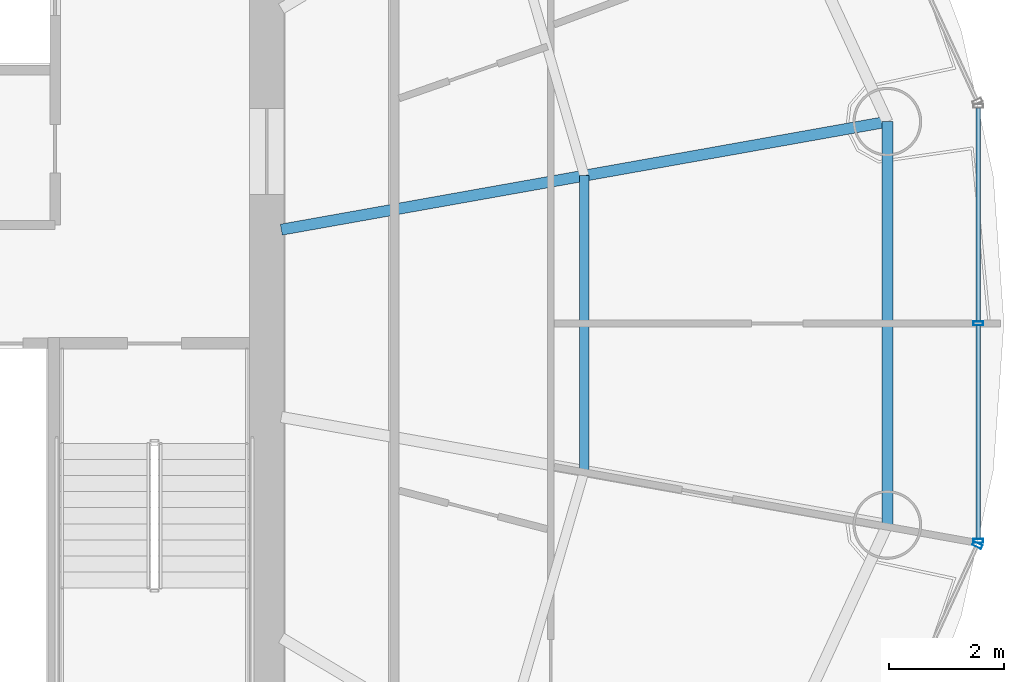
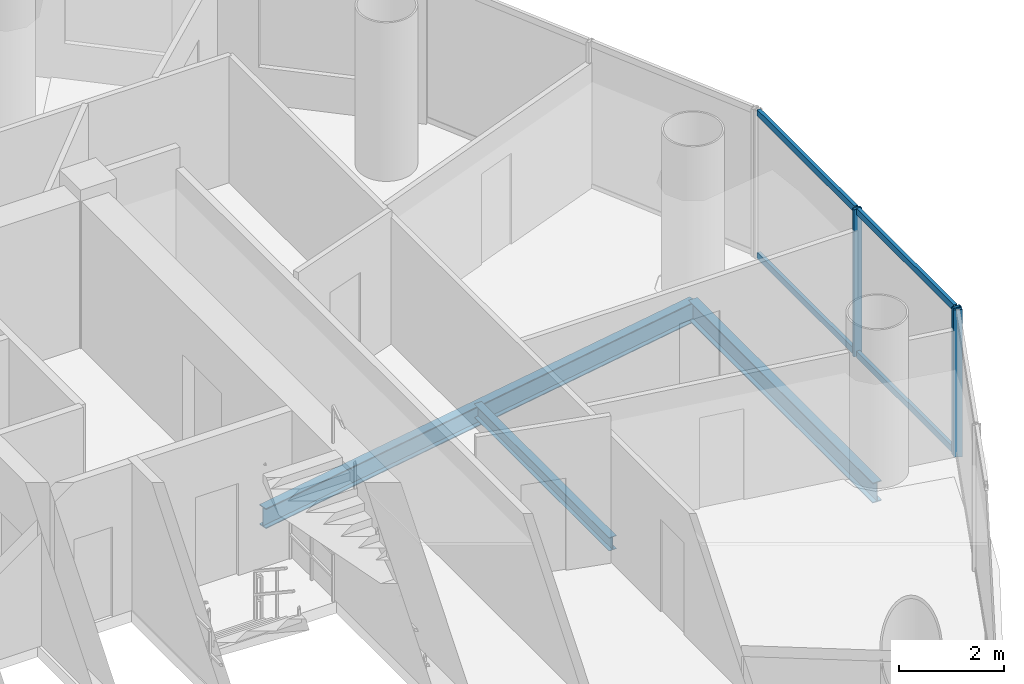
# One storey, part 13 of 26: 7 members, 3 beams, 2 elements without a shape of their own.
"""IFC4 building model written with IfcOpenShell, lengths in metres."""

from ifc_helpers import new_model, si_unit, direction, frame, origin, origin_2d, place, context, subcontext, project, spatial, hollow_rectangle, i_section, extrude, source, transform, mapped, material, material_profile, profile_set, type_object, element, aggregate, save


model = new_model("IFC4")

# Units and contexts
model_context = context("Model", 3, precision=1e-05, world=origin(), true_north=direction((-0.2419218956, 0.970295726276)))
body_context = subcontext(model_context, "Body", "Model", "MODEL_VIEW")
ifc_project = project(units=[si_unit("LENGTHUNIT", "METRE"), si_unit("AREAUNIT", "SQUARE_METRE"), si_unit("VOLUMEUNIT", "CUBIC_METRE"), si_unit("PLANEANGLEUNIT", "RADIAN"), si_unit("MASSUNIT", "GRAM", prefix="KILO")], contexts=[model_context])

# Site, building, storey
site_placement = place(None, origin())
site = spatial("IfcSite", under=ifc_project, at=site_placement, CompositionType="ELEMENT")
building_placement = place(site_placement, origin())
building = spatial("IfcBuilding", under=site, at=building_placement, Name="Cobrevalo Terracotta Tower", CompositionType="ELEMENT")
storey_placement = place(building_placement, frame((0.0, 0.0, 228.199951171875)))
storey = spatial("IfcBuildingStorey", under=building, at=storey_placement, Name="L60", CompositionType="ELEMENT", Elevation=228.199951171875)

# Beams
ifc_material_1 = material(Name="Steel S355", Category="steel")
ifc_material_profile_1 = material_profile(ifc_material_1, i_section(OverallWidth=0.194091796875, OverallDepth=0.468994140625, WebThickness=0.011474609375, FlangeThickness=0.0205078125, at=origin_2d()), Name="W 460x106")
ifc_profile_set_1 = profile_set([ifc_material_profile_1], Name="Steel S355")
beam_type_1 = type_object("IfcBeamType", Name="Structural Beam W 460x106 (Steel S355)", PredefinedType="BEAM", material=ifc_profile_set_1)
beam_1_placement = place(storey_placement, frame((57.762939453125, 30.3212890625, -0.49951171875), z_axis=(-0.98449712063, -0.175400739656, 0.0), x_axis=(0.175400739656, -0.98449712063, 0.0)))
element("IfcBeam", 1, at=beam_1_placement, inside=storey, type_object=beam_type_1, Name="L60 radial floor girder 01", PredefinedType="BEAM", context=body_context, shape_type="SweptSolid", body=[
    extrude(i_section(OverallWidth=0.194091796875, OverallDepth=0.468994140625, WebThickness=0.011474609375, FlangeThickness=0.0205078125, at=origin_2d()), origin(), (0.0, 0.0, 1.0), 10.749755859375),
])
ifc_material_profile_2 = material_profile(ifc_material_1, i_section(OverallWidth=0.1650390625, OverallDepth=0.31005859375, WebThickness=0.005859375, FlangeThickness=0.009765625, at=origin_2d()), Name="W 310x38.7")
ifc_profile_set_2 = profile_set([ifc_material_profile_2], Name="Steel S355")
beam_type_2 = type_object("IfcBeamType", Name="Structural Joist W 310x38.7 (Steel S355)", PredefinedType="JOIST", material=ifc_profile_set_2)
beam_2_placement = place(storey_placement, frame((52.471435546875, 24.221435546875, -0.419921875), z_axis=(0.0, 1.0, 0.0), x_axis=(-1.0, 0.0, 0.0)))
element("IfcBeam", 2, at=beam_2_placement, inside=storey, type_object=beam_type_2, Name="L60 circumferential secondary floor joist 16", PredefinedType="JOIST", context=body_context, shape_type="SweptSolid", body=[
    extrude(i_section(OverallWidth=0.1650390625, OverallDepth=0.31005859375, WebThickness=0.005859375, FlangeThickness=0.009765625, at=origin_2d()), origin(), (0.0, 0.0, 1.0), 5.1572265625),
])
ifc_material_profile_3 = material_profile(ifc_material_1, i_section(OverallWidth=0.194091796875, OverallDepth=0.468994140625, WebThickness=0.011474609375, FlangeThickness=0.0205078125, at=origin_2d()), Name="W 460x106")
ifc_profile_set_3 = profile_set([ifc_material_profile_3], Name="Steel S355")
beam_type_3 = type_object("IfcBeamType", Name="Structural Spandrel W 460x106 (Steel S355)", PredefinedType="SPANDREL", material=ifc_profile_set_3)
beam_3_placement = place(storey_placement, frame((57.762939453125, 23.278564453125, -0.49951171875), z_axis=(0.0, 1.0, 0.0), x_axis=(-1.0, 0.0, 0.0)))
element("IfcBeam", 3, at=beam_3_placement, inside=storey, type_object=beam_type_3, Name="L60 perimeter ring spandrel 16", PredefinedType="SPANDREL", context=body_context, shape_type="SweptSolid", body=[
    extrude(i_section(OverallWidth=0.194091796875, OverallDepth=0.468994140625, WebThickness=0.011474609375, FlangeThickness=0.0205078125, at=origin_2d()), origin(), (0.0, 0.0, 1.0), 7.042724609375),
])

# Curtain wall, members
ifc_material_2 = material(Name="Anodized aluminium", Category="aluminium")
curtain_wall_type = type_object("IfcCurtainWallType", Name="Mid-tower high-wind unitised curtain wall CW-U2", PredefinedType="NOTDEFINED", material=ifc_material_2)
curtain_wall_1_placement = place(storey_placement, origin())
curtain_wall_1 = element("IfcCurtainWall", 4, at=curtain_wall_1_placement, inside=storey, type_object=curtain_wall_type, Name="L60 curtain wall CW-L60-S16", PredefinedType="NOTDEFINED")
ifc_material_profile_4 = material_profile(ifc_material_2, hollow_rectangle(XDim=0.074951171875, YDim=0.14990234375, WallThickness=0.00439453125, at=origin_2d()), Name="CWT 75x150")
ifc_profile_set_4 = profile_set([ifc_material_profile_4], Name="Anodized aluminium")
member_type_1 = type_object("IfcMemberType", Name="Tower unitised aluminium transom 75x150", PredefinedType="USERDEFINED", material=ifc_profile_set_4)
shared_shape_1 = source(origin(), body_context, "Body", "SweptSolid", [
    extrude(hollow_rectangle(XDim=0.074951171875, YDim=0.14990234375, WallThickness=0.00439453125, at=origin_2d()), origin(), (0.0, 0.0, 1.0), 3.71728515625),
])
member_1_placement = place(storey_placement, frame((59.351806640625, 26.840087890625, 0.050048828125), z_axis=(0.0, 1.0, 0.0), x_axis=(-1.0, 0.0, 0.0)))
member_1 = element("IfcMember", 5, at=member_1_placement, type_object=member_type_1, Name="CW-L60-S16 transom B02-T1", ObjectType="TRANSOM", PredefinedType="USERDEFINED", context=body_context, shape_type="MappedRepresentation", body=[
    mapped(shared_shape_1, transform((0.0, 0.0, 0.0), scale=1.0)),
])
member_2_placement = place(storey_placement, frame((59.351806640625, 26.840087890625, 3.385009765625), z_axis=(0.0, 1.0, 0.0), x_axis=(-1.0, 0.0, 0.0)))
member_2 = element("IfcMember", 6, at=member_2_placement, type_object=member_type_1, Name="CW-L60-S16 transom B02-T2", ObjectType="TRANSOM", PredefinedType="USERDEFINED", context=body_context, shape_type="MappedRepresentation", body=[
    mapped(shared_shape_1, transform((0.0, 0.0, 0.0), scale=1.0)),
])
shared_shape_2 = source(origin(), body_context, "Body", "SweptSolid", [
    extrude(hollow_rectangle(XDim=0.074951171875, YDim=0.14990234375, WallThickness=0.00439453125, at=origin_2d()), origin(), (0.0, 0.0, 1.0), 3.717529296875),
])
member_3_placement = place(storey_placement, frame((59.351806640625, 23.04248046875, 0.050048828125), z_axis=(0.0, 1.0, 0.0), x_axis=(-1.0, 0.0, 0.0)))
member_3 = element("IfcMember", 7, at=member_3_placement, type_object=member_type_1, Name="CW-L60-S16 transom B01-T1", ObjectType="TRANSOM", PredefinedType="USERDEFINED", context=body_context, shape_type="MappedRepresentation", body=[
    mapped(shared_shape_2, transform((0.0, 0.0, 0.0), scale=1.0)),
])
member_4_placement = place(storey_placement, frame((59.351806640625, 23.04248046875, 3.385009765625), z_axis=(0.0, 1.0, 0.0), x_axis=(-1.0, 0.0, 0.0)))
member_4 = element("IfcMember", 8, at=member_4_placement, type_object=member_type_1, Name="CW-L60-S16 transom B01-T2", ObjectType="TRANSOM", PredefinedType="USERDEFINED", context=body_context, shape_type="MappedRepresentation", body=[
    mapped(shared_shape_2, transform((0.0, 0.0, 0.0), scale=1.0)),
])

# Curtain wall, member
curtain_wall_2_placement = place(storey_placement, origin())
curtain_wall_2 = element("IfcCurtainWall", 9, at=curtain_wall_2_placement, inside=storey, type_object=curtain_wall_type, Name="L60 curtain wall CW-L60-S15", PredefinedType="NOTDEFINED")
ifc_material_profile_5 = material_profile(ifc_material_2, hollow_rectangle(XDim=0.070068359375, YDim=0.169921875, WallThickness=0.00439453125, at=origin_2d()), Name="CWM 70x170")
ifc_profile_set_5 = profile_set([ifc_material_profile_5], Name="Anodized aluminium")
member_type_2 = type_object("IfcMemberType", Name="Upper tower unitised mullion 70x170", PredefinedType="MULLION", material=ifc_profile_set_5)
shared_shape_3 = source(origin(), body_context, "Body", "SweptSolid", [
    extrude(hollow_rectangle(XDim=0.070068359375, YDim=0.169921875, WallThickness=0.00439453125, at=origin_2d()), origin(), (0.0, 0.0, 1.0), 3.43505859375),
])
member_5_placement = place(storey_placement, frame((59.3349609375, 22.92626953125, 0.0), z_axis=(0.0, 0.0, 1.0), x_axis=(0.41672507912, 0.909032567311, 0.0)))
member_5 = element("IfcMember", 10, at=member_5_placement, type_object=member_type_2, Name="CW-L60-S15 vertical mullion 03", PredefinedType="MULLION", context=body_context, shape_type="MappedRepresentation", body=[
    mapped(shared_shape_3, transform((0.0, 0.0, 0.0), scale=1.0)),
])
aggregate(curtain_wall_2, [member_5])

# Member
member_6_placement = place(storey_placement, frame((59.351806640625, 23.002685546875, 0.0), z_axis=(0.0, 0.0, 1.0), x_axis=(0.0, 1.0, 0.0)))
member_6 = element("IfcMember", 11, at=member_6_placement, type_object=member_type_2, Name="CW-L60-S16 vertical mullion 01", PredefinedType="MULLION", context=body_context, shape_type="MappedRepresentation", body=[
    mapped(shared_shape_3, transform((0.0, 0.0, 0.0), scale=1.0)),
])

member_7_placement = place(storey_placement, frame((59.351806640625, 26.800048828125, 0.0), z_axis=(0.0, 0.0, 1.0), x_axis=(0.0, 1.0, 0.0)))
member_7 = element("IfcMember", 12, at=member_7_placement, type_object=member_type_2, Name="CW-L60-S16 vertical mullion 02", PredefinedType="MULLION", context=body_context, shape_type="MappedRepresentation", body=[
    mapped(shared_shape_3, transform((0.0, 0.0, 0.0), scale=1.0)),
])

aggregate(curtain_wall_1, [member_6, member_7, member_3, member_4, member_1, member_2])

save(model, "model.ifc")
